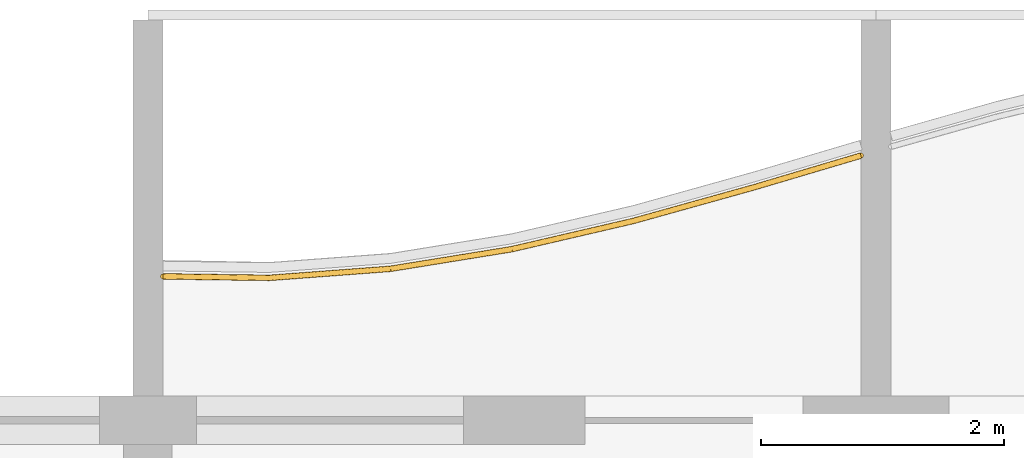
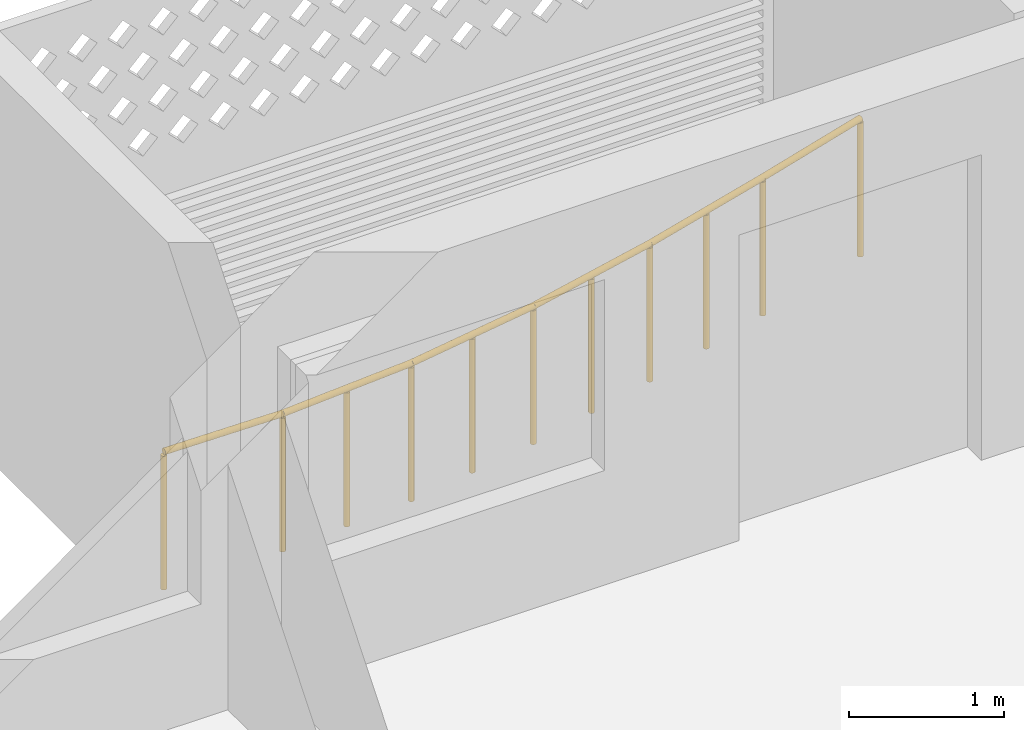
# One storey, part 29 of 39: 1 railing.
"""IFC4 building model written with IfcOpenShell, lengths in metres."""

from ifc_helpers import new_model, si_unit, direction, frame, origin, origin_2d, place, context, subcontext, project, spatial, circle, extrude, material, type_object, element, save


model = new_model("IFC4")

# Units and contexts
model_context = context("Model", 3, precision=1e-05, world=origin(), true_north=direction((0.0, 1.0)))
body_context = subcontext(model_context, "Body", "Model", "MODEL_VIEW")
ifc_project = project(units=[si_unit("LENGTHUNIT", "METRE"), si_unit("AREAUNIT", "SQUARE_METRE"), si_unit("VOLUMEUNIT", "CUBIC_METRE"), si_unit("PLANEANGLEUNIT", "RADIAN"), si_unit("MASSUNIT", "GRAM", prefix="KILO")], contexts=[model_context])

# Site, building, storey
site_placement = place(None, origin())
site = spatial("IfcSite", under=ifc_project, at=site_placement, CompositionType="ELEMENT")
building_placement = place(site_placement, origin())
building = spatial("IfcBuilding", under=site, at=building_placement, Name="Poui Terraces", CompositionType="ELEMENT")
storey_placement = place(building_placement, frame((0.0, 0.0, 56.39990234375)))
storey = spatial("IfcBuildingStorey", under=building, at=storey_placement, Name="L15", CompositionType="ELEMENT", Elevation=56.39990234375)

# Railing
ifc_material = material(Name="Painted steel fretwork", Category="steel")
railing_type = type_object("IfcRailingType", Name="BALCONY GUARD 1100", PredefinedType="GUARDRAIL", material=ifc_material)
railing_placement = place(storey_placement, frame((54.125, 45.986328125, 0.0)))
element("IfcRailing", 1, at=railing_placement, inside=storey, type_object=railing_type, Name="BALCONY GUARD", PredefinedType="GUARDRAIL", context=body_context, shape_type="SweptSolid", body=[
    extrude(circle(Radius=0.02392578125, at=origin_2d()), frame((0.0, 0.0, 1.076171875), z_axis=(0.999902700497, -0.013949535442, 0.0), x_axis=(0.013949535442, 0.999902700497, 0.0)), (0.0, 0.0, 1.0), 0.875),
    extrude(circle(Radius=0.02392578125, at=origin_2d()), frame((0.875, -0.01220703125, 1.076171875), z_axis=(0.997202940152, 0.074741528962, 0.0), x_axis=(-0.074741528962, 0.997202940152, 0.0)), (0.0, 0.0, 1.0), 1.002685546875),
    extrude(circle(Radius=0.02392578125, at=origin_2d()), frame((1.875, 0.062744140625, 1.076171875), z_axis=(0.987151750337, 0.159785549432, 0.0), x_axis=(-0.159785549432, 0.987151750337, 0.0)), (0.0, 0.0, 1.0), 1.012939453125),
    extrude(circle(Radius=0.02392578125, at=origin_2d()), frame((2.875, 0.224609375, 1.076171875), z_axis=(0.974037301865, 0.226387576019, 0.0), x_axis=(-0.226387576019, 0.974037301865, 0.0)), (0.0, 0.0, 1.0), 1.026611328125),
    extrude(circle(Radius=0.02392578125, at=origin_2d()), frame((3.875, 0.45703125, 1.076171875), z_axis=(0.963261408291, 0.268565558659, 0.0), x_axis=(-0.268565558659, 0.963261408291, 0.0)), (0.0, 0.0, 1.0), 1.0380859375),
    extrude(circle(Radius=0.02392578125, at=origin_2d()), frame((4.875, 0.73583984375, 1.076171875), z_axis=(0.95871981657, 0.284352445595, 0.0), x_axis=(-0.284352445595, 0.95871981657, 0.0)), (0.0, 0.0, 1.0), 0.91259765625),
    extrude(circle(Radius=0.02099609375, at=origin_2d()), origin(), (0.0, 0.0, 1.0), 1.052001953125),
    extrude(circle(Radius=0.02099609375, at=origin_2d()), frame((0.875, -0.01220703125, 0.0)), (0.0, 0.0, 1.0), 1.052001953125),
    extrude(circle(Radius=0.02099609375, at=origin_2d()), frame((1.375, 0.025390625, 0.0)), (0.0, 0.0, 1.0), 1.052001953125),
    extrude(circle(Radius=0.02099609375, at=origin_2d()), frame((1.875, 0.062744140625, 0.0)), (0.0, 0.0, 1.0), 1.052001953125),
    extrude(circle(Radius=0.02099609375, at=origin_2d()), frame((2.375, 0.1435546875, 0.0)), (0.0, 0.0, 1.0), 1.052001953125),
    extrude(circle(Radius=0.02099609375, at=origin_2d()), frame((2.875, 0.224609375, 0.0)), (0.0, 0.0, 1.0), 1.052001953125),
    extrude(circle(Radius=0.02099609375, at=origin_2d()), frame((3.375, 0.3408203125, 0.0)), (0.0, 0.0, 1.0), 1.052001953125),
    extrude(circle(Radius=0.02099609375, at=origin_2d()), frame((3.875, 0.45703125, 0.0)), (0.0, 0.0, 1.0), 1.052001953125),
    extrude(circle(Radius=0.02099609375, at=origin_2d()), frame((4.375, 0.596435546875, 0.0)), (0.0, 0.0, 1.0), 1.052001953125),
    extrude(circle(Radius=0.02099609375, at=origin_2d()), frame((4.875, 0.73583984375, 0.0)), (0.0, 0.0, 1.0), 1.052001953125),
    extrude(circle(Radius=0.02099609375, at=origin_2d()), frame((5.75, 0.995361328125, 0.0)), (0.0, 0.0, 1.0), 1.052001953125),
])

save(model, "model.ifc")
